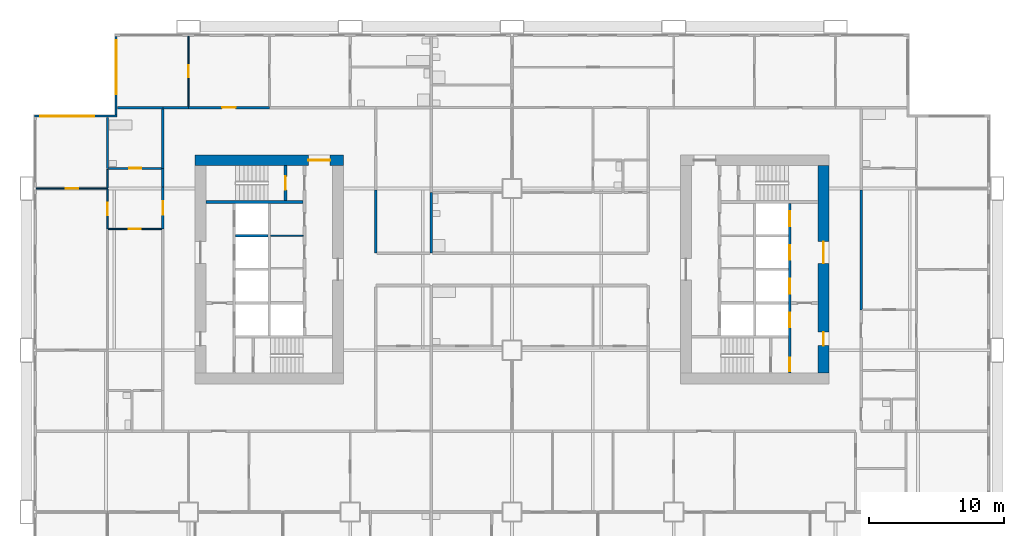
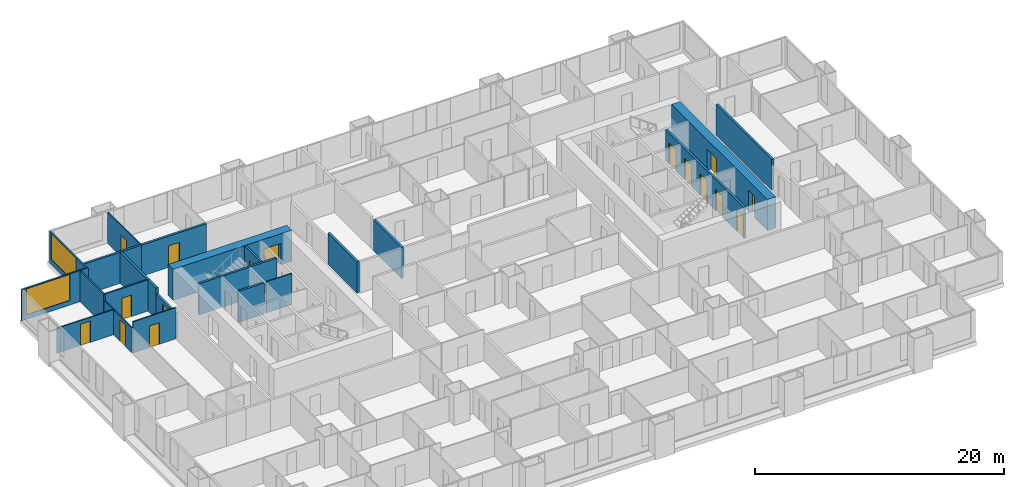
# One storey, part 8 of 14: 25 walls, 16 doors, 2 windows, 18 openings.
"""IFC4 building model written with IfcOpenShell, lengths in metres."""

from ifc_helpers import new_model, si_unit, direction, frame, frame_2d, origin, place, context, subcontext, project, spatial, rectangle, extrude, material, layer, layer_set, type_object, element, fill, save


model = new_model("IFC4")

# Units and contexts
model_context = context("Model", 3, precision=1e-05, world=origin(), true_north=direction((0.0, 1.0)))
body_context = subcontext(model_context, "Body", "Model", "MODEL_VIEW")
ifc_project = project(units=[si_unit("LENGTHUNIT", "METRE"), si_unit("AREAUNIT", "SQUARE_METRE"), si_unit("VOLUMEUNIT", "CUBIC_METRE"), si_unit("PLANEANGLEUNIT", "RADIAN"), si_unit("MASSUNIT", "GRAM", prefix="KILO")], contexts=[model_context])

# Site, building, storey
site_placement = place(None, origin())
site = spatial("IfcSite", under=ifc_project, at=site_placement, CompositionType="ELEMENT")
building_placement = place(site_placement, origin())
building = spatial("IfcBuilding", under=site, at=building_placement, Name="Kitamizu Gate Tower and Museum", CompositionType="ELEMENT")
storey_placement = place(building_placement, frame((0.0, 0.0, 43.800048828125)))
storey = spatial("IfcBuildingStorey", under=building, at=storey_placement, Name="L09", CompositionType="ELEMENT", Elevation=43.800048828125)

# Wall, opening, door
ifc_material_1 = material(Name="Concrete Fc60", Category="concrete")
ifc_layer_1 = layer(ifc_material_1, 0.800048828125)
ifc_layer_set_1 = layer_set([ifc_layer_1], Name="Concrete Fc60")
wall_type_1 = type_object("IfcWallType", Name="Core wall 800", PredefinedType="SHEAR", material=ifc_layer_set_1)
wall_1_placement = place(storey_placement, frame((12.5, 38.10009765625, 0.0), z_axis=(0.0, 0.0, 1.0), x_axis=(1.0, 0.0, 0.0)))
wall_1 = element("IfcWall", 1, at=wall_1_placement, inside=storey, type_object=wall_type_1, Name="Core wall WN", PredefinedType="SHEAR", context=body_context, shape_type="SweptSolid", body=[
    extrude(rectangle(XDim=11.0, YDim=0.800048828125, at=frame_2d((5.5, 0.0))), origin(), (0.0, 0.0, 1.0), 3.050048828125),
])
opening_1_placement = place(wall_1_placement, frame((8.39990234375, 0.0, 0.0)))
opening_1 = element("IfcOpeningElement", 2, at=opening_1_placement, cuts=wall_1, Name="Opening L09-086", PredefinedType="OPENING", context=body_context, shape_type="SweptSolid", body=[
    extrude(rectangle(XDim=1.60009765625, YDim=2.10009765625, at=frame_2d((0.800048828125, 1.050048828125))), frame((0.0, 0.41015625, 0.0), z_axis=(0.0, -1.0, 0.0), x_axis=(1.0, 0.0, 0.0)), (0.0, 0.0, 1.0), 0.820068359375),
])
ifc_material_2 = material(Name="Timber door set", Category="wood")
door_type_1 = type_object("IfcDoorType", Name="Entrance door 1600", OperationType="DOUBLE_DOOR_SINGLE_SWING", PredefinedType="DOOR", material=ifc_material_2)
door_1_placement = place(opening_1_placement, origin())
door_1 = element("IfcDoor", 3, at=door_1_placement, inside=storey, type_object=door_type_1, Name="Lobby door L09-086", OperationType="DOUBLE_DOOR_SINGLE_SWING", OverallHeight=2.10009765625, OverallWidth=1.60009765625, PredefinedType="DOOR", context=body_context, shape_type="SweptSolid", body=[
    extrude(rectangle(XDim=1.60009765625, YDim=2.10009765625, at=frame_2d((0.800048828125, 1.050048828125))), frame((0.0, 0.02490234375, 0.0), z_axis=(0.0, -1.0, 0.0), x_axis=(1.0, 0.0, 0.0)), (0.0, 0.0, 1.0), 0.050048828125),
])
fill(opening_1, door_1)

# Wall, openings, doors
wall_2_placement = place(storey_placement, frame((59.10009765625, 22.300048828125, 0.0), z_axis=(0.0, 0.0, 1.0), x_axis=(0.0, 1.0, 0.0)))
wall_2 = element("IfcWall", 4, at=wall_2_placement, inside=storey, type_object=wall_type_1, Name="Core wall EOUT", PredefinedType="SHEAR", context=body_context, shape_type="SweptSolid", body=[
    extrude(rectangle(XDim=15.39990234375, YDim=0.800048828125, at=frame_2d((7.699951171875, 0.0))), origin(), (0.0, 0.0, 1.0), 3.050048828125),
])
opening_2_placement = place(wall_2_placement, frame((8.14990234375, 0.0, 0.0)))
opening_2 = element("IfcOpeningElement", 5, at=opening_2_placement, cuts=wall_2, Name="Opening L09-096", PredefinedType="OPENING", context=body_context, shape_type="SweptSolid", body=[
    extrude(rectangle(XDim=1.60009765625, YDim=2.10009765625, at=frame_2d((0.800048828125, 1.050048828125))), frame((0.0, 0.41015625, 0.0), z_axis=(0.0, -1.0, 0.0), x_axis=(1.0, 0.0, 0.0)), (0.0, 0.0, 1.0), 0.820068359375),
])
opening_3_placement = place(wall_2_placement, frame((2.050048828125, 0.0, 0.0)))
opening_3 = element("IfcOpeningElement", 6, at=opening_3_placement, cuts=wall_2, Name="Opening L09-097", PredefinedType="OPENING", context=body_context, shape_type="SweptSolid", body=[
    extrude(rectangle(XDim=1.0, YDim=2.10009765625, at=frame_2d((0.5, 1.050048828125))), frame((0.0, 0.41015625, 0.0), z_axis=(0.0, -1.0, 0.0), x_axis=(1.0, 0.0, 0.0)), (0.0, 0.0, 1.0), 0.820068359375),
])
door_2_placement = place(opening_2_placement, origin())
door_2 = element("IfcDoor", 7, at=door_2_placement, inside=storey, type_object=door_type_1, Name="Lobby door L09-096", OperationType="DOUBLE_DOOR_SINGLE_SWING", OverallHeight=2.10009765625, OverallWidth=1.60009765625, PredefinedType="DOOR", context=body_context, shape_type="SweptSolid", body=[
    extrude(rectangle(XDim=1.60009765625, YDim=2.10009765625, at=frame_2d((0.800048828125, 1.050048828125))), frame((0.0, 0.02490234375, 0.0), z_axis=(0.0, -1.0, 0.0), x_axis=(1.0, 0.0, 0.0)), (0.0, 0.0, 1.0), 0.050048828125),
])
fill(opening_2, door_2)
ifc_material_3 = material(Name="Hollow metal door set")
door_type_2 = type_object("IfcDoorType", Name="Fire door 1000", OperationType="NOTDEFINED", PredefinedType="DOOR", material=ifc_material_3)
door_3_placement = place(opening_3_placement, origin())
door_3 = element("IfcDoor", 8, at=door_3_placement, inside=storey, type_object=door_type_2, Name="Fire-fighting lobby door L09-097", OperationType="SINGLE_SWING_RIGHT", OverallHeight=2.10009765625, OverallWidth=1.0, PredefinedType="DOOR", context=body_context, shape_type="SweptSolid", body=[
    extrude(rectangle(XDim=1.0, YDim=2.10009765625, at=frame_2d((0.5, 1.050048828125))), frame((0.0, 0.02490234375, 0.0), z_axis=(0.0, -1.0, 0.0), x_axis=(1.0, 0.0, 0.0)), (0.0, 0.0, 1.0), 0.050048828125),
])
fill(opening_3, door_3)

# Wall
ifc_material_4 = material(Name="Gypsum board on galvanised stud")
ifc_layer_2 = layer(ifc_material_4, 0.10009765625)
ifc_layer_set_2 = layer_set([ifc_layer_2], Name="Gypsum board on galvanised stud")
wall_type_2 = type_object("IfcWallType", Name="Partition 100", PredefinedType="PARTITIONING", material=ifc_layer_set_2)
wall_3_placement = place(storey_placement, frame((18.10009765625, 32.490966796875, 0.0), z_axis=(0.0, 0.0, 1.0), x_axis=(1.0, 0.0, 0.0)))
element("IfcWall", 9, at=wall_3_placement, inside=storey, type_object=wall_type_2, Name="Partition WPF2", PredefinedType="PARTITIONING", context=body_context, shape_type="SweptSolid", body=[
    extrude(rectangle(XDim=2.39990234375, YDim=0.10009765625, at=frame_2d((1.199951171875, 0.0))), origin(), (0.0, 0.0, 1.0), 3.050048828125),
])

# Wall, opening, door
ifc_material_5 = material(Name="Gypsum board on galvanised stud")
ifc_layer_3 = layer(ifc_material_5, 0.10009765625)
ifc_layer_set_3 = layer_set([ifc_layer_3], Name="Gypsum board on galvanised stud")
wall_type_3 = type_object("IfcWallType", Name="Partition 100 NOT RATED", PredefinedType="PARTITIONING", material=ifc_layer_set_3)
wall_4_placement = place(storey_placement, frame((12.0, 42.10009765625, 0.0), z_axis=(0.0, 0.0, 1.0), x_axis=(0.0, 1.0, 0.0)))
wall_4 = element("IfcWall", 10, at=wall_4_placement, inside=storey, type_object=wall_type_3, Name="Partition L09-114", PredefinedType="PARTITIONING", context=body_context, shape_type="SweptSolid", body=[
    extrude(rectangle(XDim=5.179931640625, YDim=0.10009765625, at=frame_2d((2.58984375, 0.0))), origin(), (0.0, 0.0, 1.0), 3.050048828125),
])
opening_4_placement = place(wall_4_placement, frame((2.139892578125, 0.0, 0.0)))
opening_4 = element("IfcOpeningElement", 11, at=opening_4_placement, cuts=wall_4, Name="Opening L09-043", PredefinedType="OPENING", context=body_context, shape_type="SweptSolid", body=[
    extrude(rectangle(XDim=0.89990234375, YDim=2.10009765625, at=frame_2d((0.449951171875, 1.050048828125))), frame((0.0, 0.06005859375, 0.0), z_axis=(0.0, -1.0, 0.0), x_axis=(1.0, 0.0, 0.0)), (0.0, 0.0, 1.0), 0.1201171875),
])
ifc_material_6 = material(Name="Timber door set", Category="wood")
door_type_3 = type_object("IfcDoorType", Name="Room door 900", OperationType="NOTDEFINED", PredefinedType="DOOR", material=ifc_material_6)
door_4_placement = place(opening_4_placement, origin())
door_4 = element("IfcDoor", 12, at=door_4_placement, inside=storey, type_object=door_type_3, Name="Door L09-043", OperationType="SINGLE_SWING_LEFT", OverallHeight=2.10009765625, OverallWidth=0.89990234375, PredefinedType="DOOR", context=body_context, shape_type="SweptSolid", body=[
    extrude(rectangle(XDim=0.89990234375, YDim=2.10009765625, at=frame_2d((0.449951171875, 1.050048828125))), frame((0.0, 0.02490234375, 0.0), z_axis=(0.0, -1.0, 0.0), x_axis=(1.0, 0.0, 0.0)), (0.0, 0.0, 1.0), 0.050048828125),
])
fill(opening_4, door_4)

wall_5_placement = place(storey_placement, frame((6.0, 36.0, 0.0), z_axis=(0.0, 0.0, 1.0), x_axis=(-1.0, 0.0, 0.0)))
wall_5 = element("IfcWall", 13, at=wall_5_placement, inside=storey, type_object=wall_type_3, Name="Partition L09-137", PredefinedType="PARTITIONING", context=body_context, shape_type="SweptSolid", body=[
    extrude(rectangle(XDim=5.280029296875, YDim=0.10009765625, at=frame_2d((2.64013671875, 0.0))), origin(), (0.0, 0.0, 1.0), 2.449951171875),
])
opening_5_placement = place(wall_5_placement, frame((2.18994140625, 0.0, 0.0)))
opening_5 = element("IfcOpeningElement", 14, at=opening_5_placement, cuts=wall_5, Name="Opening L09-051", PredefinedType="OPENING", context=body_context, shape_type="SweptSolid", body=[
    extrude(rectangle(XDim=0.89990234375, YDim=2.10009765625, at=frame_2d((0.449951171875, 1.050048828125))), frame((0.0, 0.06005859375, 0.0), z_axis=(0.0, -1.0, 0.0), x_axis=(1.0, 0.0, 0.0)), (0.0, 0.0, 1.0), 0.1201171875),
])
door_5_placement = place(opening_5_placement, frame((0.89990234375, 0.0, 0.0), x_axis=(-1.0, 0.0, 0.0)))
door_5 = element("IfcDoor", 15, at=door_5_placement, inside=storey, type_object=door_type_3, Name="Door L09-051", OperationType="SINGLE_SWING_RIGHT", OverallHeight=2.10009765625, OverallWidth=0.89990234375, PredefinedType="DOOR", context=body_context, shape_type="SweptSolid", body=[
    extrude(rectangle(XDim=0.89990234375, YDim=2.10009765625, at=frame_2d((0.449951171875, 1.050048828125))), frame((0.0, 0.02490234375, 0.0), z_axis=(0.0, -1.0, 0.0), x_axis=(1.0, 0.0, 0.0)), (0.0, 0.0, 1.0), 0.050048828125),
])
fill(opening_5, door_5)

wall_6_placement = place(storey_placement, frame((6.0, 33.0, 0.0), z_axis=(0.0, 0.0, 1.0), x_axis=(0.0, 1.0, 0.0)))
wall_6 = element("IfcWall", 16, at=wall_6_placement, inside=storey, type_object=wall_type_3, Name="Partition L09-139", PredefinedType="PARTITIONING", context=body_context, shape_type="SweptSolid", body=[
    extrude(rectangle(XDim=2.949951171875, YDim=0.10009765625, at=frame_2d((1.47509765625, 0.0))), origin(), (0.0, 0.0, 1.0), 2.449951171875),
])
opening_6_placement = place(wall_6_placement, frame((1.02490234375, 0.0, 0.0)))
opening_6 = element("IfcOpeningElement", 17, at=opening_6_placement, cuts=wall_6, Name="Opening L09-048", PredefinedType="OPENING", context=body_context, shape_type="SweptSolid", body=[
    extrude(rectangle(XDim=0.89990234375, YDim=2.10009765625, at=frame_2d((0.449951171875, 1.050048828125))), frame((0.0, 0.06005859375, 0.0), z_axis=(0.0, -1.0, 0.0), x_axis=(1.0, 0.0, 0.0)), (0.0, 0.0, 1.0), 0.1201171875),
])
door_6_placement = place(opening_6_placement, origin())
door_6 = element("IfcDoor", 18, at=door_6_placement, inside=storey, type_object=door_type_3, Name="Door L09-048", OperationType="SINGLE_SWING_LEFT", OverallHeight=2.10009765625, OverallWidth=0.89990234375, PredefinedType="DOOR", context=body_context, shape_type="SweptSolid", body=[
    extrude(rectangle(XDim=0.89990234375, YDim=2.10009765625, at=frame_2d((0.449951171875, 1.050048828125))), frame((0.0, 0.02490234375, 0.0), z_axis=(0.0, -1.0, 0.0), x_axis=(1.0, 0.0, 0.0)), (0.0, 0.0, 1.0), 0.050048828125),
])
fill(opening_6, door_6)

# Wall
wall_7_placement = place(storey_placement, frame((6.0, 36.050048828125, 0.0), z_axis=(0.0, 0.0, 1.0), x_axis=(0.0, 1.0, 0.0)))
element("IfcWall", 19, at=wall_7_placement, inside=storey, type_object=wall_type_3, Name="Partition L09-140", PredefinedType="PARTITIONING", context=body_context, shape_type="SweptSolid", body=[
    extrude(rectangle(XDim=1.375, YDim=0.10009765625, at=frame_2d((0.6875, 0.0))), origin(), (0.0, 0.0, 1.0), 2.449951171875),
])

# Wall, opening, door
wall_8_placement = place(storey_placement, frame((10.0, 33.0, 0.0), z_axis=(0.0, 0.0, 1.0), x_axis=(-1.0, 0.0, 0.0)))
wall_8 = element("IfcWall", 20, at=wall_8_placement, inside=storey, type_object=wall_type_3, Name="Partition L09-146", PredefinedType="PARTITIONING", context=body_context, shape_type="SweptSolid", body=[
    extrude(rectangle(XDim=3.949951171875, YDim=0.10009765625, at=frame_2d((1.97509765625, 0.0))), origin(), (0.0, 0.0, 1.0), 3.050048828125),
])
opening_7_placement = place(wall_8_placement, frame((1.52490234375, 0.0, 0.0)))
opening_7 = element("IfcOpeningElement", 21, at=opening_7_placement, cuts=wall_8, Name="Opening L09-049", PredefinedType="OPENING", context=body_context, shape_type="SweptSolid", body=[
    extrude(rectangle(XDim=0.89990234375, YDim=2.10009765625, at=frame_2d((0.449951171875, 1.050048828125))), frame((0.0, 0.06005859375, 0.0), z_axis=(0.0, -1.0, 0.0), x_axis=(1.0, 0.0, 0.0)), (0.0, 0.0, 1.0), 0.1201171875),
])
door_7_placement = place(opening_7_placement, frame((0.89990234375, 0.0, 0.0), x_axis=(-1.0, 0.0, 0.0)))
door_7 = element("IfcDoor", 22, at=door_7_placement, inside=storey, type_object=door_type_3, Name="Door L09-049", OperationType="SINGLE_SWING_RIGHT", OverallHeight=2.10009765625, OverallWidth=0.89990234375, PredefinedType="DOOR", context=body_context, shape_type="SweptSolid", body=[
    extrude(rectangle(XDim=0.89990234375, YDim=2.10009765625, at=frame_2d((0.449951171875, 1.050048828125))), frame((0.0, 0.02490234375, 0.0), z_axis=(0.0, -1.0, 0.0), x_axis=(1.0, 0.0, 0.0)), (0.0, 0.0, 1.0), 0.050048828125),
])
fill(opening_7, door_7)

# Wall
ifc_material_7 = material(Name="Gypsum board on galvanised stud")
ifc_layer_4 = layer(ifc_material_7, 0.14990234375)
ifc_layer_set_4 = layer_set([ifc_layer_4], Name="Gypsum board on galvanised stud")
wall_type_4 = type_object("IfcWallType", Name="Partition 150", PredefinedType="PARTITIONING", material=ifc_layer_set_4)
wall_9_placement = place(storey_placement, frame((6.0, 37.5, 0.0), z_axis=(0.0, 0.0, 1.0), x_axis=(0.0, 1.0, 0.0)))
element("IfcWall", 23, at=wall_9_placement, inside=storey, type_object=wall_type_4, Name="Partition L09-141", PredefinedType="PARTITIONING", context=body_context, shape_type="SweptSolid", body=[
    extrude(rectangle(XDim=3.780029296875, YDim=0.14990234375, at=frame_2d((1.89013671875, 0.0))), origin(), (0.0, 0.0, 1.0), 3.050048828125),
])

# Wall, opening, door
wall_10_placement = place(storey_placement, frame((10.0, 37.5, 0.0), z_axis=(0.0, 0.0, 1.0), x_axis=(-1.0, 0.0, 0.0)))
wall_10 = element("IfcWall", 24, at=wall_10_placement, inside=storey, type_object=wall_type_4, Name="Partition L09-149", PredefinedType="PARTITIONING", context=body_context, shape_type="SweptSolid", body=[
    extrude(rectangle(XDim=3.925048828125, YDim=0.14990234375, at=frame_2d((1.96240234375, 0.0))), origin(), (0.0, 0.0, 1.0), 3.050048828125),
])
opening_8_placement = place(wall_10_placement, frame((1.512451171875, 0.0, 0.0)))
opening_8 = element("IfcOpeningElement", 25, at=opening_8_placement, cuts=wall_10, Name="Opening L09-054", PredefinedType="OPENING", context=body_context, shape_type="SweptSolid", body=[
    extrude(rectangle(XDim=0.89990234375, YDim=2.10009765625, at=frame_2d((0.449951171875, 1.050048828125))), frame((0.0, 0.0849609375, 0.0), z_axis=(0.0, -1.0, 0.0), x_axis=(1.0, 0.0, 0.0)), (0.0, 0.0, 1.0), 0.169921875),
])
ifc_material_8 = material(Name="Timber door set", Category="wood")
door_type_4 = type_object("IfcDoorType", Name="Bathroom door 900", OperationType="NOTDEFINED", PredefinedType="DOOR", material=ifc_material_8)
door_8_placement = place(opening_8_placement, frame((0.89990234375, 0.0, 0.0), x_axis=(-1.0, 0.0, 0.0)))
door_8 = element("IfcDoor", 26, at=door_8_placement, inside=storey, type_object=door_type_4, Name="Bathroom door L09-054", OperationType="SINGLE_SWING_LEFT", OverallHeight=2.10009765625, OverallWidth=0.89990234375, PredefinedType="DOOR", context=body_context, shape_type="SweptSolid", body=[
    extrude(rectangle(XDim=0.89990234375, YDim=2.10009765625, at=frame_2d((0.449951171875, 1.050048828125))), frame((0.0, 0.02490234375, 0.0), z_axis=(0.0, -1.0, 0.0), x_axis=(1.0, 0.0, 0.0)), (0.0, 0.0, 1.0), 0.050048828125),
])
fill(opening_8, door_8)

# Walls
ifc_material_9 = material(Name="Gypsum board on galvanised stud")
ifc_layer_5 = layer(ifc_material_9, 0.199951171875)
ifc_layer_set_5 = layer_set([ifc_layer_5], Name="Gypsum board on galvanised stud")
wall_type_5 = type_object("IfcWallType", Name="Partition 200", PredefinedType="PARTITIONING", material=ifc_layer_set_5)
wall_11_placement = place(storey_placement, frame((6.719970703125, 42.0, 0.0), z_axis=(0.0, 0.0, 1.0), x_axis=(1.0, 0.0, 0.0)))
element("IfcWall", 27, at=wall_11_placement, inside=storey, type_object=wall_type_5, Name="Partition L09-115", PredefinedType="PARTITIONING", context=body_context, shape_type="SweptSolid", body=[
    extrude(rectangle(XDim=3.380126953125, YDim=0.199951171875, at=frame_2d((1.68994140625, 0.0))), origin(), (0.0, 0.0, 1.0), 3.050048828125),
])
wall_12_placement = place(storey_placement, frame((10.10009765625, 42.0, 0.0), z_axis=(0.0, 0.0, 1.0), x_axis=(1.0, 0.0, 0.0)))
element("IfcWall", 28, at=wall_12_placement, inside=storey, type_object=wall_type_5, Name="Partition L09-116", PredefinedType="PARTITIONING", context=body_context, shape_type="SweptSolid", body=[
    extrude(rectangle(XDim=1.89990234375, YDim=0.199951171875, at=frame_2d((0.949951171875, 0.0))), origin(), (0.0, 0.0, 1.0), 3.050048828125),
])

# Wall, opening, door
wall_13_placement = place(storey_placement, frame((12.0, 42.0, 0.0), z_axis=(0.0, 0.0, 1.0), x_axis=(1.0, 0.0, 0.0)))
wall_13 = element("IfcWall", 29, at=wall_13_placement, inside=storey, type_object=wall_type_5, Name="Partition L09-118", PredefinedType="PARTITIONING", context=body_context, shape_type="SweptSolid", body=[
    extrude(rectangle(XDim=6.0, YDim=0.199951171875, at=frame_2d((3.0, 0.0))), origin(), (0.0, 0.0, 1.0), 3.050048828125),
])
opening_9_placement = place(wall_13_placement, frame((2.5, 0.0, 0.0)))
opening_9 = element("IfcOpeningElement", 30, at=opening_9_placement, cuts=wall_13, Name="Opening L09-042", PredefinedType="OPENING", context=body_context, shape_type="SweptSolid", body=[
    extrude(rectangle(XDim=1.0, YDim=2.10009765625, at=frame_2d((0.5, 1.050048828125))), frame((0.0, 0.10986328125, 0.0), z_axis=(0.0, -1.0, 0.0), x_axis=(1.0, 0.0, 0.0)), (0.0, 0.0, 1.0), 0.219970703125),
])
ifc_material_10 = material(Name="Timber door set", Category="wood")
door_type_5 = type_object("IfcDoorType", Name="Flat entrance door 1000", OperationType="NOTDEFINED", PredefinedType="DOOR", material=ifc_material_10)
door_9_placement = place(opening_9_placement, origin())
door_9 = element("IfcDoor", 31, at=door_9_placement, inside=storey, type_object=door_type_5, Name="Flat entrance door L09-042", OperationType="SINGLE_SWING_RIGHT", OverallHeight=2.10009765625, OverallWidth=1.0, PredefinedType="DOOR", context=body_context, shape_type="SweptSolid", body=[
    extrude(rectangle(XDim=1.0, YDim=2.10009765625, at=frame_2d((0.5, 1.050048828125))), frame((0.0, 0.02490234375, 0.0), z_axis=(0.0, -1.0, 0.0), x_axis=(1.0, 0.0, 0.0)), (0.0, 0.0, 1.0), 0.050048828125),
])
fill(opening_9, door_9)

# Walls
wall_14_placement = place(storey_placement, frame((30.0, 31.199951171875, 0.0), z_axis=(0.0, 0.0, 1.0), x_axis=(0.0, 1.0, 0.0)))
element("IfcWall", 32, at=wall_14_placement, inside=storey, type_object=wall_type_5, Name="Partition L09-130", PredefinedType="PARTITIONING", context=body_context, shape_type="SweptSolid", body=[
    extrude(rectangle(XDim=4.5, YDim=0.199951171875, at=frame_2d((2.25, 0.0))), origin(), (0.0, 0.0, 1.0), 3.050048828125),
])
wall_15_placement = place(storey_placement, frame((25.89990234375, 35.89990234375, 0.0), z_axis=(0.0, 0.0, 1.0), x_axis=(0.0, -1.0, 0.0)))
element("IfcWall", 33, at=wall_15_placement, inside=storey, type_object=wall_type_5, Name="Partition L09-132", PredefinedType="PARTITIONING", context=body_context, shape_type="SweptSolid", body=[
    extrude(rectangle(XDim=4.699951171875, YDim=0.199951171875, at=frame_2d((2.35009765625, 0.0))), origin(), (0.0, 0.0, 1.0), 3.050048828125),
])

# Wall, opening, door
wall_16_placement = place(storey_placement, frame((10.10009765625, 33.0, 0.0), z_axis=(0.0, 0.0, 1.0), x_axis=(0.0, 1.0, 0.0)))
wall_16 = element("IfcWall", 34, at=wall_16_placement, inside=storey, type_object=wall_type_5, Name="Partition L09-150", PredefinedType="PARTITIONING", context=body_context, shape_type="SweptSolid", body=[
    extrude(rectangle(XDim=3.10009765625, YDim=0.199951171875, at=frame_2d((1.550048828125, 0.0))), origin(), (0.0, 0.0, 1.0), 2.449951171875),
])
opening_10_placement = place(wall_16_placement, frame((1.050048828125, 0.0, 0.0)))
opening_10 = element("IfcOpeningElement", 35, at=opening_10_placement, cuts=wall_16, Name="Opening L09-047", PredefinedType="OPENING", context=body_context, shape_type="SweptSolid", body=[
    extrude(rectangle(XDim=1.0, YDim=2.10009765625, at=frame_2d((0.5, 1.050048828125))), frame((0.0, 0.10986328125, 0.0), z_axis=(0.0, -1.0, 0.0), x_axis=(1.0, 0.0, 0.0)), (0.0, 0.0, 1.0), 0.219970703125),
])
door_10_placement = place(opening_10_placement, origin())
door_10 = element("IfcDoor", 36, at=door_10_placement, inside=storey, type_object=door_type_5, Name="Flat entrance door L09-047", OperationType="SINGLE_SWING_RIGHT", OverallHeight=2.10009765625, OverallWidth=1.0, PredefinedType="DOOR", context=body_context, shape_type="SweptSolid", body=[
    extrude(rectangle(XDim=1.0, YDim=2.10009765625, at=frame_2d((0.5, 1.050048828125))), frame((0.0, 0.02490234375, 0.0), z_axis=(0.0, -1.0, 0.0), x_axis=(1.0, 0.0, 0.0)), (0.0, 0.0, 1.0), 0.050048828125),
])
fill(opening_10, door_10)

# Walls
wall_17_placement = place(storey_placement, frame((10.10009765625, 36.10009765625, 0.0), z_axis=(0.0, 0.0, 1.0), x_axis=(0.0, 1.0, 0.0)))
element("IfcWall", 37, at=wall_17_placement, inside=storey, type_object=wall_type_5, Name="Partition L09-151", PredefinedType="PARTITIONING", context=body_context, shape_type="SweptSolid", body=[
    extrude(rectangle(XDim=1.39990234375, YDim=0.199951171875, at=frame_2d((0.699951171875, 0.0))), origin(), (0.0, 0.0, 1.0), 3.050048828125),
])
wall_18_placement = place(storey_placement, frame((10.10009765625, 37.5, 0.0), z_axis=(0.0, 0.0, 1.0), x_axis=(0.0, 1.0, 0.0)))
element("IfcWall", 38, at=wall_18_placement, inside=storey, type_object=wall_type_5, Name="Partition L09-152", PredefinedType="PARTITIONING", context=body_context, shape_type="SweptSolid", body=[
    extrude(rectangle(XDim=4.39990234375, YDim=0.199951171875, at=frame_2d((2.199951171875, 0.0))), origin(), (0.0, 0.0, 1.0), 3.050048828125),
])
wall_19_placement = place(storey_placement, frame((61.89990234375, 35.89990234375, 0.0), z_axis=(0.0, 0.0, 1.0), x_axis=(0.0, -1.0, 0.0)))
element("IfcWall", 39, at=wall_19_placement, inside=storey, type_object=wall_type_5, Name="Partition L09-212", PredefinedType="PARTITIONING", context=body_context, shape_type="SweptSolid", body=[
    extrude(rectangle(XDim=8.89990234375, YDim=0.199951171875, at=frame_2d((4.449951171875, 0.0))), origin(), (0.0, 0.0, 1.0), 3.050048828125),
])
ifc_material_11 = material(Name="Concrete Fc42", Category="concrete")
ifc_layer_6 = layer(ifc_material_11, 0.199951171875)
ifc_layer_set_6 = layer_set([ifc_layer_6], Name="Concrete Fc42")
wall_type_6 = type_object("IfcWallType", Name="Shaft wall 200", PredefinedType="SOLIDWALL", material=ifc_layer_set_6)
wall_20_placement = place(storey_placement, frame((13.300048828125, 35.0, 0.0), z_axis=(0.0, 0.0, 1.0), x_axis=(1.0, 0.0, 0.0)))
element("IfcWall", 40, at=wall_20_placement, inside=storey, type_object=wall_type_6, Name="Shaft wall WNB", PredefinedType="SOLIDWALL", context=body_context, shape_type="SweptSolid", body=[
    extrude(rectangle(XDim=7.199951171875, YDim=0.199951171875, at=frame_2d((3.60009765625, 0.0))), origin(), (0.0, 0.0, 1.0), 3.050048828125),
])

# Wall, opening, door
wall_21_placement = place(storey_placement, frame((19.199951171875, 35.10009765625, 0.0), z_axis=(0.0, 0.0, 1.0), x_axis=(0.0, 1.0, 0.0)))
wall_21 = element("IfcWall", 41, at=wall_21_placement, inside=storey, type_object=wall_type_6, Name="Shaft wall WNZ", PredefinedType="SOLIDWALL", context=body_context, shape_type="SweptSolid", body=[
    extrude(rectangle(XDim=2.599853515625, YDim=0.199951171875, at=frame_2d((1.2998046875, 0.0))), origin(), (0.0, 0.0, 1.0), 3.050048828125),
])
opening_11_placement = place(wall_21_placement, frame((0.800048828125, 0.0, 0.0)))
opening_11 = element("IfcOpeningElement", 42, at=opening_11_placement, cuts=wall_21, Name="Opening L09-082", PredefinedType="OPENING", context=body_context, shape_type="SweptSolid", body=[
    extrude(rectangle(XDim=1.0, YDim=2.10009765625, at=frame_2d((0.5, 1.050048828125))), frame((0.0, 0.10986328125, 0.0), z_axis=(0.0, -1.0, 0.0), x_axis=(1.0, 0.0, 0.0)), (0.0, 0.0, 1.0), 0.219970703125),
])
door_11_placement = place(opening_11_placement, origin())
door_11 = element("IfcDoor", 43, at=door_11_placement, inside=storey, type_object=door_type_2, Name="Stair door L09-082", OperationType="SINGLE_SWING_LEFT", OverallHeight=2.10009765625, OverallWidth=1.0, PredefinedType="DOOR", context=body_context, shape_type="SweptSolid", body=[
    extrude(rectangle(XDim=1.0, YDim=2.10009765625, at=frame_2d((0.5, 1.050048828125))), frame((0.0, 0.02490234375, 0.0), z_axis=(0.0, -1.0, 0.0), x_axis=(1.0, 0.0, 0.0)), (0.0, 0.0, 1.0), 0.050048828125),
])
fill(opening_11, door_11)

# Wall
wall_22_placement = place(storey_placement, frame((15.5, 32.5, 0.0), z_axis=(0.0, 0.0, 1.0), x_axis=(1.0, 0.0, 0.0)))
element("IfcWall", 44, at=wall_22_placement, inside=storey, type_object=wall_type_6, Name="Shaft wall WDVW2", PredefinedType="SOLIDWALL", context=body_context, shape_type="SweptSolid", body=[
    extrude(rectangle(XDim=2.39990234375, YDim=0.199951171875, at=frame_2d((1.199951171875, 0.0))), origin(), (0.0, 0.0, 1.0), 3.050048828125),
])

# Wall, openings, doors
wall_23_placement = place(storey_placement, frame((56.60009765625, 22.300048828125, 0.0), z_axis=(0.0, 0.0, 1.0), x_axis=(0.0, 1.0, 0.0)))
wall_23 = element("IfcWall", 45, at=wall_23_placement, inside=storey, type_object=wall_type_6, Name="Shaft wall EWEST", PredefinedType="SOLIDWALL", context=body_context, shape_type="SweptSolid", body=[
    extrude(rectangle(XDim=12.599853515625, YDim=0.199951171875, at=frame_2d((6.2998046875, 0.0))), origin(), (0.0, 0.0, 1.0), 3.050048828125),
])
opening_12_placement = place(wall_23_placement, frame((3.39990234375, 0.0, 0.0)))
opening_12 = element("IfcOpeningElement", 46, at=opening_12_placement, cuts=wall_23, Name="Opening LD", PredefinedType="OPENING", context=body_context, shape_type="SweptSolid", body=[
    extrude(rectangle(XDim=1.10009765625, YDim=2.10009765625, at=frame_2d((0.550048828125, 1.050048828125))), frame((0.0, 0.10986328125, 0.0), z_axis=(0.0, -1.0, 0.0), x_axis=(1.0, 0.0, 0.0)), (0.0, 0.0, 1.0), 0.219970703125),
])
opening_13_placement = place(wall_23_placement, frame((5.89990234375, 0.0, 0.0)))
opening_13 = element("IfcOpeningElement", 47, at=opening_13_placement, cuts=wall_23, Name="Opening LD", PredefinedType="OPENING", context=body_context, shape_type="SweptSolid", body=[
    extrude(rectangle(XDim=1.10009765625, YDim=2.10009765625, at=frame_2d((0.550048828125, 1.050048828125))), frame((0.0, 0.10986328125, 0.0), z_axis=(0.0, -1.0, 0.0), x_axis=(1.0, 0.0, 0.0)), (0.0, 0.0, 1.0), 0.219970703125),
])
opening_14_placement = place(wall_23_placement, frame((8.39990234375, 0.0, 0.0)))
opening_14 = element("IfcOpeningElement", 48, at=opening_14_placement, cuts=wall_23, Name="Opening LD", PredefinedType="OPENING", context=body_context, shape_type="SweptSolid", body=[
    extrude(rectangle(XDim=1.10009765625, YDim=2.10009765625, at=frame_2d((0.550048828125, 1.050048828125))), frame((0.0, 0.10986328125, 0.0), z_axis=(0.0, -1.0, 0.0), x_axis=(1.0, 0.0, 0.0)), (0.0, 0.0, 1.0), 0.219970703125),
])
opening_15_placement = place(wall_23_placement, frame((10.89990234375, 0.0, 0.0)))
opening_15 = element("IfcOpeningElement", 49, at=opening_15_placement, cuts=wall_23, Name="Opening LD", PredefinedType="OPENING", context=body_context, shape_type="SweptSolid", body=[
    extrude(rectangle(XDim=1.10009765625, YDim=2.10009765625, at=frame_2d((0.550048828125, 1.050048828125))), frame((0.0, 0.10986328125, 0.0), z_axis=(0.0, -1.0, 0.0), x_axis=(1.0, 0.0, 0.0)), (0.0, 0.0, 1.0), 0.219970703125),
])
opening_16_placement = place(wall_23_placement, frame((0.14990234375, 0.0, 0.0)))
opening_16 = element("IfcOpeningElement", 50, at=opening_16_placement, cuts=wall_23, Name="Opening L09-092", PredefinedType="OPENING", context=body_context, shape_type="SweptSolid", body=[
    extrude(rectangle(XDim=1.0, YDim=2.10009765625, at=frame_2d((0.5, 1.050048828125))), frame((0.0, 0.10986328125, 0.0), z_axis=(0.0, -1.0, 0.0), x_axis=(1.0, 0.0, 0.0)), (0.0, 0.0, 1.0), 0.219970703125),
])
door_12_placement = place(opening_16_placement, origin())
door_12 = element("IfcDoor", 51, at=door_12_placement, inside=storey, type_object=door_type_2, Name="Stair lobby door L09-092", OperationType="SINGLE_SWING_RIGHT", OverallHeight=2.10009765625, OverallWidth=1.0, PredefinedType="DOOR", context=body_context, shape_type="SweptSolid", body=[
    extrude(rectangle(XDim=1.0, YDim=2.10009765625, at=frame_2d((0.5, 1.050048828125))), frame((0.0, 0.02490234375, 0.0), z_axis=(0.0, -1.0, 0.0), x_axis=(1.0, 0.0, 0.0)), (0.0, 0.0, 1.0), 0.050048828125),
])
fill(opening_16, door_12)
ifc_material_12 = material(Name="Hollow metal door set")
door_type_6 = type_object("IfcDoorType", Name="Landing door 1100", OperationType="SLIDING_TO_LEFT", PredefinedType="DOOR", material=ifc_material_12)
door_13_placement = place(opening_12_placement, origin())
door_13 = element("IfcDoor", 52, at=door_13_placement, inside=storey, type_object=door_type_6, Name="Landing door EFF1", OperationType="SLIDING_TO_LEFT", OverallHeight=2.10009765625, OverallWidth=1.10009765625, PredefinedType="DOOR", context=body_context, shape_type="SweptSolid", body=[
    extrude(rectangle(XDim=1.10009765625, YDim=2.10009765625, at=frame_2d((0.550048828125, 1.050048828125))), frame((0.0, 0.02490234375, 0.0), z_axis=(0.0, -1.0, 0.0), x_axis=(1.0, 0.0, 0.0)), (0.0, 0.0, 1.0), 0.050048828125),
])
fill(opening_12, door_13)
door_14_placement = place(opening_13_placement, origin())
door_14 = element("IfcDoor", 53, at=door_14_placement, inside=storey, type_object=door_type_6, Name="Landing door EL1", OperationType="SLIDING_TO_LEFT", OverallHeight=2.10009765625, OverallWidth=1.10009765625, PredefinedType="DOOR", context=body_context, shape_type="SweptSolid", body=[
    extrude(rectangle(XDim=1.10009765625, YDim=2.10009765625, at=frame_2d((0.550048828125, 1.050048828125))), frame((0.0, 0.02490234375, 0.0), z_axis=(0.0, -1.0, 0.0), x_axis=(1.0, 0.0, 0.0)), (0.0, 0.0, 1.0), 0.050048828125),
])
fill(opening_13, door_14)
door_15_placement = place(opening_14_placement, origin())
door_15 = element("IfcDoor", 54, at=door_15_placement, inside=storey, type_object=door_type_6, Name="Landing door EL2", OperationType="SLIDING_TO_LEFT", OverallHeight=2.10009765625, OverallWidth=1.10009765625, PredefinedType="DOOR", context=body_context, shape_type="SweptSolid", body=[
    extrude(rectangle(XDim=1.10009765625, YDim=2.10009765625, at=frame_2d((0.550048828125, 1.050048828125))), frame((0.0, 0.02490234375, 0.0), z_axis=(0.0, -1.0, 0.0), x_axis=(1.0, 0.0, 0.0)), (0.0, 0.0, 1.0), 0.050048828125),
])
fill(opening_14, door_15)
door_16_placement = place(opening_15_placement, origin())
door_16 = element("IfcDoor", 55, at=door_16_placement, inside=storey, type_object=door_type_6, Name="Landing door EL3", OperationType="SLIDING_TO_LEFT", OverallHeight=2.10009765625, OverallWidth=1.10009765625, PredefinedType="DOOR", context=body_context, shape_type="SweptSolid", body=[
    extrude(rectangle(XDim=1.10009765625, YDim=2.10009765625, at=frame_2d((0.550048828125, 1.050048828125))), frame((0.0, 0.02490234375, 0.0), z_axis=(0.0, -1.0, 0.0), x_axis=(1.0, 0.0, 0.0)), (0.0, 0.0, 1.0), 0.050048828125),
])
fill(opening_15, door_16)

# Wall, opening, window
ifc_material_13 = material(Name="Bronze anodised aluminium frame with insulated spandrel and tinted glass", Category="aluminium")
ifc_layer_7 = layer(ifc_material_13, 0.14990234375)
ifc_layer_set_7 = layer_set([ifc_layer_7], Name="Bronze anodised aluminium frame with insulated spandrel and tinted glass")
wall_type_7 = type_object("IfcWallType", Name="WINDOW WALL 150 BRONZE FRAME EI 30", PredefinedType="ELEMENTEDWALL", material=ifc_layer_set_7)
wall_24_placement = place(storey_placement, frame((6.635009765625, 41.43994140625, 0.0), z_axis=(0.0, 0.0, 1.0), x_axis=(0.0, 1.0, 0.0)))
wall_24 = element("IfcWall", 56, at=wall_24_placement, inside=storey, type_object=wall_type_7, Name="Window wall west L09", PredefinedType="ELEMENTEDWALL", context=body_context, shape_type="SweptSolid", body=[
    extrude(rectangle(XDim=5.85009765625, YDim=0.14990234375, at=frame_2d((2.925048828125, 0.0))), origin(), (0.0, 0.0, 1.0), 3.050048828125),
])
opening_17_placement = place(wall_24_placement, frame((1.56005859375, 0.0, 0.449951171875)))
opening_17 = element("IfcOpeningElement", 57, at=opening_17_placement, cuts=wall_24, Name="Opening W16", PredefinedType="OPENING", context=body_context, shape_type="SweptSolid", body=[
    extrude(rectangle(XDim=4.0, YDim=2.550048828125, at=frame_2d((2.0, 1.27490234375))), frame((0.0, 0.0849609375, 0.0), z_axis=(0.0, -1.0, 0.0), x_axis=(1.0, 0.0, 0.0)), (0.0, 0.0, 1.0), 0.169921875),
])
ifc_material_14 = material(Name="Bronze anodised aluminium frame, tinted triple glazing", Category="aluminium")
window_type = type_object("IfcWindowType", Name="WINDOW 4000 x 2550 SILL 450", PartitioningType="SINGLE_PANEL", PredefinedType="WINDOW", material=ifc_material_14)
window_1_placement = place(opening_17_placement, origin())
window_1 = element("IfcWindow", 58, at=window_1_placement, inside=storey, type_object=window_type, Name="Window W16 L09", OverallHeight=2.550048828125, OverallWidth=4.0, PartitioningType="SINGLE_PANEL", PredefinedType="WINDOW", context=body_context, shape_type="SweptSolid", body=[
    extrude(rectangle(XDim=4.0, YDim=2.550048828125, at=frame_2d((2.0, 1.27490234375))), frame((0.0, 0.030029296875, 0.0), z_axis=(0.0, -1.0, 0.0), x_axis=(1.0, 0.0, 0.0)), (0.0, 0.0, 1.0), 0.06005859375),
])
fill(opening_17, window_1)

wall_25_placement = place(storey_placement, frame((0.56005859375, 41.364990234375, 0.0), z_axis=(0.0, 0.0, 1.0), x_axis=(1.0, 0.0, 0.0)))
wall_25 = element("IfcWall", 59, at=wall_25_placement, inside=storey, type_object=wall_type_7, Name="Window wall north L09", PredefinedType="ELEMENTEDWALL", context=body_context, shape_type="SweptSolid", body=[
    extrude(rectangle(XDim=6.14990234375, YDim=0.14990234375, at=frame_2d((3.074951171875, 0.0))), origin(), (0.0, 0.0, 1.0), 3.050048828125),
])
opening_18_placement = place(wall_25_placement, frame((0.43994140625, 0.0, 0.449951171875)))
opening_18 = element("IfcOpeningElement", 60, at=opening_18_placement, cuts=wall_25, Name="Opening W16", PredefinedType="OPENING", context=body_context, shape_type="SweptSolid", body=[
    extrude(rectangle(XDim=4.0, YDim=2.550048828125, at=frame_2d((2.0, 1.27490234375))), frame((0.0, 0.0849609375, 0.0), z_axis=(0.0, -1.0, 0.0), x_axis=(1.0, 0.0, 0.0)), (0.0, 0.0, 1.0), 0.169921875),
])
window_2_placement = place(opening_18_placement, origin())
window_2 = element("IfcWindow", 61, at=window_2_placement, inside=storey, type_object=window_type, Name="Window W16 L09", OverallHeight=2.550048828125, OverallWidth=4.0, PartitioningType="SINGLE_PANEL", PredefinedType="WINDOW", context=body_context, shape_type="SweptSolid", body=[
    extrude(rectangle(XDim=4.0, YDim=2.550048828125, at=frame_2d((2.0, 1.27490234375))), frame((0.0, 0.030029296875, 0.0), z_axis=(0.0, -1.0, 0.0), x_axis=(1.0, 0.0, 0.0)), (0.0, 0.0, 1.0), 0.06005859375),
])
fill(opening_18, window_2)

save(model, "model.ifc")
